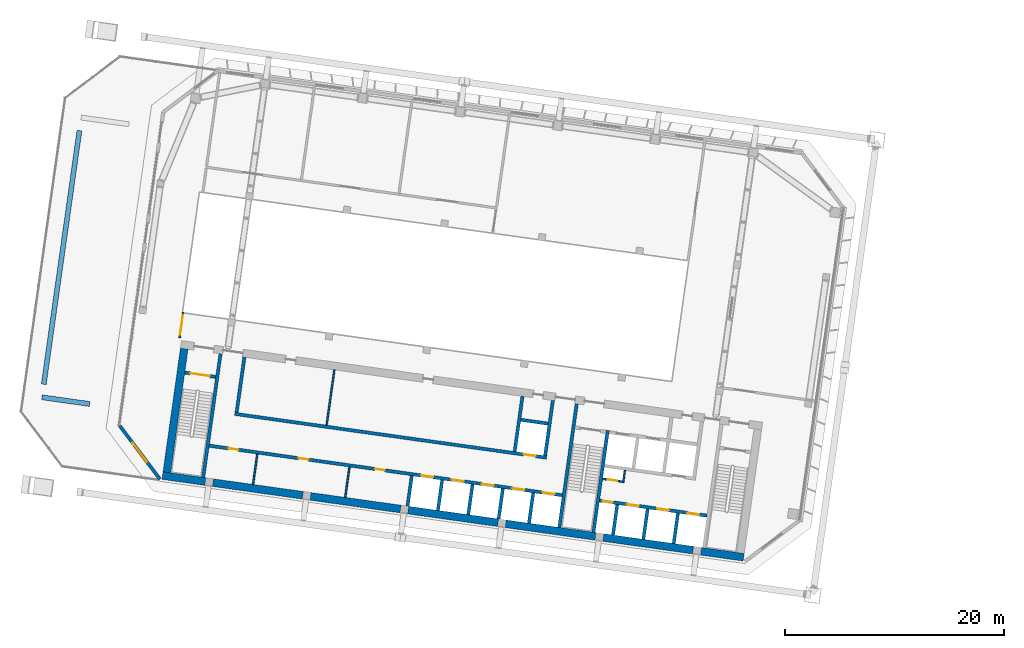
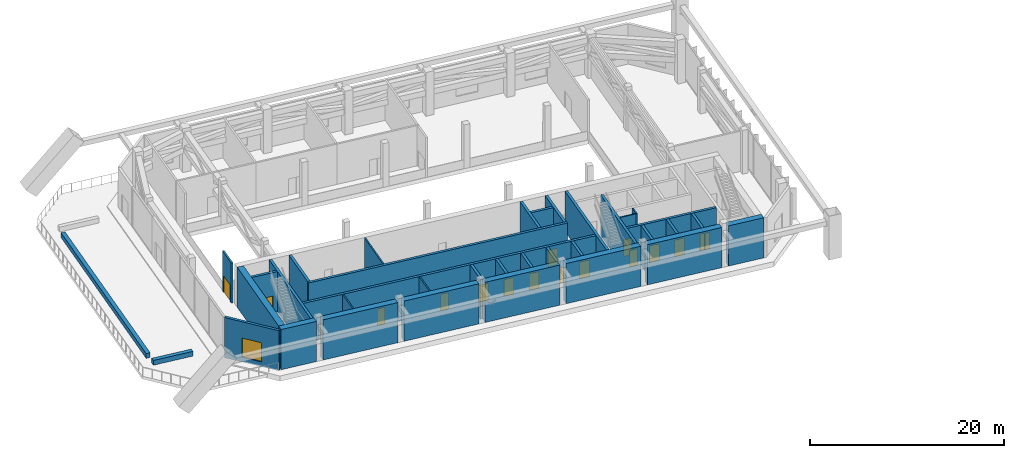
# One storey, part 20 of 41: 36 walls, 16 doors, 1 window, 17 openings.
"""IFC4 building model written with IfcOpenShell, lengths in metres."""

from ifc_helpers import new_model, si_unit, direction, frame, frame_2d, origin, place, context, subcontext, project, spatial, rectangle, extrude, material, layer, layer_set, type_object, element, fill, save


model = new_model("IFC4")

# Units and contexts
model_context = context("Model", 3, precision=1e-05, world=origin(), true_north=direction((0.0, 1.0)))
body_context = subcontext(model_context, "Body", "Model", "MODEL_VIEW")
ifc_project = project(units=[si_unit("LENGTHUNIT", "METRE"), si_unit("AREAUNIT", "SQUARE_METRE"), si_unit("VOLUMEUNIT", "CUBIC_METRE"), si_unit("PLANEANGLEUNIT", "RADIAN"), si_unit("MASSUNIT", "GRAM", prefix="KILO")], contexts=[model_context])

# Site, building, storey
site_placement = place(None, origin())
site = spatial("IfcSite", under=ifc_project, at=site_placement, CompositionType="ELEMENT")
building_placement = place(site_placement, origin())
building = spatial("IfcBuilding", under=site, at=building_placement, Name="Mirante Cascada Hotel Towers", CompositionType="ELEMENT")
storey_placement = place(building_placement, frame((0.0, 0.0, 151.9)))
storey = spatial("IfcBuildingStorey", under=building, at=storey_placement, Name="L35", CompositionType="ELEMENT", Elevation=151.9)

# Wall
ifc_material_1 = material(Name="Masonry block", Category="masonry")
ifc_layer_1 = layer(ifc_material_1, 0.15)
ifc_layer_set_1 = layer_set([ifc_layer_1], Name="Core room partition 150 block EI 30")
wall_type_1 = type_object("IfcWallType", Name="Core room partition 150 block EI 30", PredefinedType="PARTITIONING", material=ifc_layer_set_1)
wall_1_placement = place(storey_placement, frame((-48.2295, -12.793, 0.0), z_axis=(0.0, 0.0, 1.0), x_axis=(0.1391935, 0.9902652, 0.0)))
element("IfcWall", 1, at=wall_1_placement, inside=storey, type_object=wall_type_1, Name="Core wall partition T1 L35 2", PredefinedType="PARTITIONING", context=body_context, shape_type="SweptSolid", body=[
    extrude(rectangle(XDim=1.1251, YDim=0.15, at=frame_2d((0.5626, 0.0))), origin(), (0.0, 0.0, 1.0), 5.05),
])

# Wall, opening, door
wall_2_placement = place(storey_placement, frame((-48.2933, -12.7083, 0.0), z_axis=(0.0, 0.0, 1.0), x_axis=(-0.990268, 0.1391734, 0.0)))
wall_2 = element("IfcWall", 2, at=wall_2_placement, inside=storey, type_object=wall_type_1, Name="Core wall partition T1 L35 3", PredefinedType="PARTITIONING", context=body_context, shape_type="SweptSolid", body=[
    extrude(rectangle(XDim=1.8251, YDim=0.15, at=frame_2d((0.9126, 0.0))), origin(), (0.0, 0.0, 1.0), 5.05),
])
opening_1_placement = place(wall_2_placement, frame((0.4625, 0.0, 0.0)))
opening_1 = element("IfcOpeningElement", 3, at=opening_1_placement, cuts=wall_2, Name="Opening D1-35-C23", PredefinedType="OPENING", context=body_context, shape_type="SweptSolid", body=[
    extrude(rectangle(XDim=0.9, YDim=2.1, at=frame_2d((0.45, 1.05))), frame((0.0, 0.075, 0.0), z_axis=(0.0, -1.0, 0.0), x_axis=(1.0, 0.0, 0.0)), (0.0, 0.0, 1.0), 0.15),
])
ifc_material_2 = material(Name="Hollow metal fire door leaf")
door_type_1 = type_object("IfcDoorType", Name="Fire door 900x2100 FD60", OperationType="NOTDEFINED", PredefinedType="DOOR", material=ifc_material_2)
door_1_placement = place(opening_1_placement, origin())
door_1 = element("IfcDoor", 4, at=door_1_placement, inside=storey, type_object=door_type_1, Name="Riser door T1 L35 23", OperationType="SINGLE_SWING_LEFT", OverallHeight=2.1, OverallWidth=0.9, PredefinedType="DOOR", context=body_context, shape_type="SweptSolid", body=[
    extrude(rectangle(XDim=0.9, YDim=2.1, at=frame_2d((0.45, 1.05))), frame((0.0, 0.025, 0.0), z_axis=(0.0, -1.0, 0.0), x_axis=(1.0, 0.0, 0.0)), (0.0, 0.0, 1.0), 0.05),
])
fill(opening_1, door_1)

# Walls
wall_3_placement = place(storey_placement, frame((-73.6152, -14.1482, 0.0), z_axis=(0.0, 0.0, 1.0), x_axis=(0.139176, 0.9902677, 0.0)))
element("IfcWall", 5, at=wall_3_placement, inside=storey, type_object=wall_type_1, Name="Core wall partition T1 L35 4", PredefinedType="PARTITIONING", context=body_context, shape_type="SweptSolid", body=[
    extrude(rectangle(XDim=2.8001, YDim=0.15, at=frame_2d((1.4, 0.0))), origin(), (0.0, 0.0, 1.0), 5.05),
])
wall_4_placement = place(storey_placement, frame((-82.0324, -12.9652, 0.0), z_axis=(0.0, 0.0, 1.0), x_axis=(0.139141, 0.9902726, 0.0)))
element("IfcWall", 6, at=wall_4_placement, inside=storey, type_object=wall_type_1, Name="Core wall partition T1 L35 5", PredefinedType="PARTITIONING", context=body_context, shape_type="SweptSolid", body=[
    extrude(rectangle(XDim=2.8, YDim=0.15, at=frame_2d((1.4, 0.0))), origin(), (0.0, 0.0, 1.0), 5.05),
])
wall_5_placement = place(storey_placement, frame((-75.3131, -7.5476, 0.0), z_axis=(0.0, 0.0, 1.0), x_axis=(0.1391782, 0.9902673, 0.0)))
element("IfcWall", 7, at=wall_5_placement, inside=storey, type_object=wall_type_1, Name="Core wall partition T1 L35 6", PredefinedType="PARTITIONING", context=body_context, shape_type="SweptSolid", body=[
    extrude(rectangle(XDim=5.0999, YDim=0.15, at=frame_2d((2.55, 0.0))), origin(), (0.0, 0.0, 1.0), 5.05),
])
ifc_material_3 = material(Name="Precast concrete C40/50", Category="concrete")
ifc_layer_2 = layer(ifc_material_3, 0.45)
ifc_layer_set_2 = layer_set([ifc_layer_2], Name="Planter wall 450 concrete C40/50")
wall_type_2 = type_object("IfcWallType", Name="Planter wall 450 concrete C40/50", PredefinedType="PARAPET", material=ifc_layer_set_2)
wall_6_placement = place(storey_placement, frame((-96.955, -5.6169, 0.0), z_axis=(0.0, 0.0, 1.0), x_axis=(-0.990267, 0.139181, 0.0)))
element("IfcWall", 8, at=wall_6_placement, inside=storey, type_object=wall_type_2, Name="PLANTER T1 L35 bed 1", PredefinedType="PARAPET", context=body_context, shape_type="SweptSolid", body=[
    extrude(rectangle(XDim=4.4, YDim=0.45, at=frame_2d((2.2, 0.0))), origin(), (0.0, 0.0, 1.0), 0.6),
])
wall_7_placement = place(storey_placement, frame((-101.1451, -3.8162, 0.0), z_axis=(0.0, 0.0, 1.0), x_axis=(0.1391708, 0.9902684, 0.0)))
element("IfcWall", 9, at=wall_7_placement, inside=storey, type_object=wall_type_2, Name="PLANTER T1 L35 bed 3", PredefinedType="PARAPET", context=body_context, shape_type="SweptSolid", body=[
    extrude(rectangle(XDim=23.4, YDim=0.45, at=frame_2d((11.7, 0.0))), origin(), (0.0, 0.0, 1.0), 0.6),
])

# Wall, opening, window
ifc_material_4 = material(Name="Precast concrete C40/50", Category="concrete")
ifc_layer_3 = layer(ifc_material_4, 0.3)
ifc_layer_set_3 = layer_set([ifc_layer_3], Name="Precast concrete C40/50 cladding wall 300")
wall_type_3 = type_object("IfcWallType", Name="Precast concrete C40/50 cladding wall 300", PredefinedType="STANDARD", material=ifc_layer_set_3)
wall_8_placement = place(storey_placement, frame((-90.5299, -12.4841, 0.0), z_axis=(0.0, 0.0, 1.0), x_axis=(-0.6018063, 0.7986421, 0.0)))
wall_8 = element("IfcWall", 10, at=wall_8_placement, inside=storey, type_object=wall_type_3, Name="Corner cladding wall T1 L35 rear outer", PredefinedType="STANDARD", context=body_context, shape_type="SweptSolid", body=[
    extrude(rectangle(XDim=6.1158, YDim=0.3, at=frame_2d((3.0579, 0.0))), origin(), (0.0, 0.0, 1.0), 5.05),
])
opening_2_placement = place(wall_8_placement, frame((1.9578, 0.0, 0.6)))
opening_2 = element("IfcOpeningElement", 11, at=opening_2_placement, cuts=wall_8, Name="Opening W1-35-08", PredefinedType="OPENING", context=body_context, shape_type="SweptSolid", body=[
    extrude(rectangle(XDim=2.2, YDim=2.4, at=frame_2d((1.1, 1.2))), frame((0.0, 0.15, 0.0), z_axis=(0.0, -1.0, 0.0), x_axis=(1.0, 0.0, 0.0)), (0.0, 0.0, 1.0), 0.3),
])
ifc_material_5 = material(Name="Aluminium frame with clear double glazing", Category="aluminium")
window_type = type_object("IfcWindowType", Name="Corner suite window 2200x2400", PartitioningType="DOUBLE_PANEL_VERTICAL", PredefinedType="WINDOW", material=ifc_material_5)
window_placement = place(opening_2_placement, origin())
window = element("IfcWindow", 12, at=window_placement, inside=storey, type_object=window_type, Name="Window W1-35-08", OverallHeight=2.4, OverallWidth=2.2, PartitioningType="SINGLE_PANEL", PredefinedType="WINDOW", context=body_context, shape_type="SweptSolid", body=[
    extrude(rectangle(XDim=2.2, YDim=2.4, at=frame_2d((1.1, 1.2))), frame((0.0, 0.03, 0.0), z_axis=(0.0, -1.0, 0.0), x_axis=(1.0, 0.0, 0.0)), (0.0, 0.0, 1.0), 0.06),
])
fill(opening_2, window)

# Walls
ifc_material_6 = material(Name="Concrete C50/60", Category="concrete")
ifc_layer_4 = layer(ifc_material_6, 0.3)
ifc_layer_set_4 = layer_set([ifc_layer_4], Name="RC core wall 300 C50/60")
wall_type_4 = type_object("IfcWallType", Name="RC core wall 300 C50/60", PredefinedType="SHEAR", material=ifc_layer_set_4)
wall_9_placement = place(storey_placement, frame((-50.938, -17.3352, 0.0), z_axis=(0.0, 0.0, 1.0), x_axis=(0.1391706, 0.9902684, 0.0)))
element("IfcWall", 13, at=wall_9_placement, inside=storey, type_object=wall_type_4, Name="Core wall T1:L35:6", PredefinedType="SHEAR", context=body_context, shape_type="SweptSolid", body=[
    extrude(rectangle(XDim=9.4, YDim=0.3, at=frame_2d((4.7, 0.0))), origin(), (0.0, 0.0, 1.0), 5.05),
])
wall_10_placement = place(storey_placement, frame((-54.0574, -16.8968, 0.0), z_axis=(0.0, 0.0, 1.0), x_axis=(0.1391761, 0.9902677, 0.0)))
element("IfcWall", 14, at=wall_10_placement, inside=storey, type_object=wall_type_4, Name="Core wall T1:L35:7", PredefinedType="SHEAR", context=body_context, shape_type="SweptSolid", body=[
    extrude(rectangle(XDim=11.3999, YDim=0.3, at=frame_2d((5.7, 0.0))), origin(), (0.0, 0.0, 1.0), 5.05),
])
wall_11_placement = place(storey_placement, frame((-86.5877, -12.325, 0.0), z_axis=(0.0, 0.0, 1.0), x_axis=(0.1391749, 0.9902678, 0.0)))
element("IfcWall", 15, at=wall_11_placement, inside=storey, type_object=wall_type_4, Name="Core wall T1:L35:8", PredefinedType="SHEAR", context=body_context, shape_type="SweptSolid", body=[
    extrude(rectangle(XDim=11.4, YDim=0.3, at=frame_2d((5.7, 0.0))), origin(), (0.0, 0.0, 1.0), 5.05),
])

# Wall, opening, door
wall_12_placement = place(storey_placement, frame((-85.4489, -3.1441, 0.0), z_axis=(0.0, 0.0, 1.0), x_axis=(-0.9902697, 0.1391613, 0.0)))
wall_12 = element("IfcWall", 16, at=wall_12_placement, inside=storey, type_object=wall_type_4, Name="Core wall T1:L35:11", PredefinedType="SHEAR", context=body_context, shape_type="SweptSolid", body=[
    extrude(rectangle(XDim=2.8499, YDim=0.3, at=frame_2d((1.425, 0.0))), origin(), (0.0, 0.0, 1.0), 5.05),
])
opening_3_placement = place(wall_12_placement, frame((0.525, 0.0, 0.0)))
opening_3 = element("IfcOpeningElement", 17, at=opening_3_placement, cuts=wall_12, Name="Opening D1-35-C17", PredefinedType="OPENING", context=body_context, shape_type="SweptSolid", body=[
    extrude(rectangle(XDim=1.8, YDim=2.1, at=frame_2d((0.9, 1.05))), frame((0.0, 0.15, 0.0), z_axis=(0.0, -1.0, 0.0), x_axis=(1.0, 0.0, 0.0)), (0.0, 0.0, 1.0), 0.3),
])
ifc_material_7 = material(Name="Hollow metal fire door leaf")
door_type_2 = type_object("IfcDoorType", Name="Double fire door 1800x2100 FD60", OperationType="DOUBLE_DOOR_SINGLE_SWING", PredefinedType="DOOR", material=ifc_material_7)
door_2_placement = place(opening_3_placement, origin())
door_2 = element("IfcDoor", 18, at=door_2_placement, inside=storey, type_object=door_type_2, Name="Stair door T1 L35 17", OperationType="DOUBLE_DOOR_SINGLE_SWING", OverallHeight=2.1, OverallWidth=1.8, PredefinedType="DOOR", context=body_context, shape_type="SweptSolid", body=[
    extrude(rectangle(XDim=0.895, YDim=2.1, at=frame_2d((0.4475, 1.05))), frame((0.0, 0.025, 0.0), z_axis=(0.0, -1.0, 0.0), x_axis=(1.0, 0.0, 0.0)), (0.0, 0.0, 1.0), 0.05),
    extrude(rectangle(XDim=0.895, YDim=2.1, at=frame_2d((1.3525, 1.05))), frame((0.0, 0.025, 0.0), z_axis=(0.0, -1.0, 0.0), x_axis=(1.0, 0.0, 0.0)), (0.0, 0.0, 1.0), 0.05),
])
fill(opening_3, door_2)

# Wall, openings, doors
wall_13_placement = place(storey_placement, frame((-40.5753, -15.8126, 0.0), z_axis=(0.0, 0.0, 1.0), x_axis=(-0.9902682, 0.1391725, 0.0)))
wall_13 = element("IfcWall", 19, at=wall_13_placement, inside=storey, type_object=wall_type_4, Name="Core wall T1:L35:12", PredefinedType="SHEAR", context=body_context, shape_type="SweptSolid", body=[
    extrude(rectangle(XDim=9.8999, YDim=0.3, at=frame_2d((4.95, 0.0))), origin(), (0.0, 0.0, 1.0), 5.05),
])
opening_4_placement = place(wall_13_placement, frame((0.7, 0.0, 0.0)))
opening_4 = element("IfcOpeningElement", 20, at=opening_4_placement, cuts=wall_13, Name="Opening LD", PredefinedType="OPENING", context=body_context, shape_type="SweptSolid", body=[
    extrude(rectangle(XDim=1.1, YDim=2.1, at=frame_2d((0.55, 1.05))), frame((0.0, 0.15, 0.0), z_axis=(0.0, -1.0, 0.0), x_axis=(1.0, 0.0, 0.0)), (0.0, 0.0, 1.0), 0.3),
])
opening_5_placement = place(wall_13_placement, frame((3.5, 0.0, 0.0)))
opening_5 = element("IfcOpeningElement", 21, at=opening_5_placement, cuts=wall_13, Name="Opening LD", PredefinedType="OPENING", context=body_context, shape_type="SweptSolid", body=[
    extrude(rectangle(XDim=1.1, YDim=2.1, at=frame_2d((0.55, 1.05))), frame((0.0, 0.15, 0.0), z_axis=(0.0, -1.0, 0.0), x_axis=(1.0, 0.0, 0.0)), (0.0, 0.0, 1.0), 0.3),
])
opening_6_placement = place(wall_13_placement, frame((6.3, 0.0, 0.0)))
opening_6 = element("IfcOpeningElement", 22, at=opening_6_placement, cuts=wall_13, Name="Opening LD", PredefinedType="OPENING", context=body_context, shape_type="SweptSolid", body=[
    extrude(rectangle(XDim=1.1, YDim=2.1, at=frame_2d((0.55, 1.05))), frame((0.0, 0.15, 0.0), z_axis=(0.0, -1.0, 0.0), x_axis=(1.0, 0.0, 0.0)), (0.0, 0.0, 1.0), 0.3),
])
opening_7_placement = place(wall_13_placement, frame((8.7, 0.0, 0.0)))
opening_7 = element("IfcOpeningElement", 23, at=opening_7_placement, cuts=wall_13, Name="Opening D1-35-C22", PredefinedType="OPENING", context=body_context, shape_type="SweptSolid", body=[
    extrude(rectangle(XDim=0.9, YDim=2.1, at=frame_2d((0.45, 1.05))), frame((0.0, 0.15, 0.0), z_axis=(0.0, -1.0, 0.0), x_axis=(1.0, 0.0, 0.0)), (0.0, 0.0, 1.0), 0.3),
])
door_3_placement = place(opening_7_placement, origin())
door_3 = element("IfcDoor", 24, at=door_3_placement, inside=storey, type_object=door_type_1, Name="Riser door T1 L35 22", OperationType="SINGLE_SWING_LEFT", OverallHeight=2.1, OverallWidth=0.9, PredefinedType="DOOR", context=body_context, shape_type="SweptSolid", body=[
    extrude(rectangle(XDim=0.9, YDim=2.1, at=frame_2d((0.45, 1.05))), frame((0.0, 0.025, 0.0), z_axis=(0.0, -1.0, 0.0), x_axis=(1.0, 0.0, 0.0)), (0.0, 0.0, 1.0), 0.05),
])
fill(opening_7, door_3)
ifc_material_8 = material(Name="Stainless steel", Category="steel")
door_type_3 = type_object("IfcDoorType", Name="Lift landing door 1100x2100 EI 120", OperationType="DOUBLE_DOOR_SLIDING", PredefinedType="DOOR", material=ifc_material_8)
door_4_placement = place(opening_4_placement, origin())
door_4 = element("IfcDoor", 25, at=door_4_placement, inside=storey, type_object=door_type_3, Name="Lift landing door HR1-1 L35", OperationType="DOUBLE_DOOR_SLIDING", OverallHeight=2.1, OverallWidth=1.1, PredefinedType="DOOR", context=body_context, shape_type="SweptSolid", body=[
    extrude(rectangle(XDim=0.545, YDim=2.1, at=frame_2d((0.2725, 1.05))), frame((0.0, 0.025, 0.0), z_axis=(0.0, -1.0, 0.0), x_axis=(1.0, 0.0, 0.0)), (0.0, 0.0, 1.0), 0.05),
    extrude(rectangle(XDim=0.545, YDim=2.1, at=frame_2d((0.8275, 1.05))), frame((0.0, 0.025, 0.0), z_axis=(0.0, -1.0, 0.0), x_axis=(1.0, 0.0, 0.0)), (0.0, 0.0, 1.0), 0.05),
])
fill(opening_4, door_4)
door_5_placement = place(opening_5_placement, origin())
door_5 = element("IfcDoor", 26, at=door_5_placement, inside=storey, type_object=door_type_3, Name="Lift landing door HR1-2 L35", OperationType="DOUBLE_DOOR_SLIDING", OverallHeight=2.1, OverallWidth=1.1, PredefinedType="DOOR", context=body_context, shape_type="SweptSolid", body=[
    extrude(rectangle(XDim=0.545, YDim=2.1, at=frame_2d((0.2725, 1.05))), frame((0.0, 0.025, 0.0), z_axis=(0.0, -1.0, 0.0), x_axis=(1.0, 0.0, 0.0)), (0.0, 0.0, 1.0), 0.05),
    extrude(rectangle(XDim=0.545, YDim=2.1, at=frame_2d((0.8275, 1.05))), frame((0.0, 0.025, 0.0), z_axis=(0.0, -1.0, 0.0), x_axis=(1.0, 0.0, 0.0)), (0.0, 0.0, 1.0), 0.05),
])
fill(opening_5, door_5)
door_6_placement = place(opening_6_placement, origin())
door_6 = element("IfcDoor", 27, at=door_6_placement, inside=storey, type_object=door_type_3, Name="Lift landing door HR1-3 L35", OperationType="DOUBLE_DOOR_SLIDING", OverallHeight=2.1, OverallWidth=1.1, PredefinedType="DOOR", context=body_context, shape_type="SweptSolid", body=[
    extrude(rectangle(XDim=0.545, YDim=2.1, at=frame_2d((0.2725, 1.05))), frame((0.0, 0.025, 0.0), z_axis=(0.0, -1.0, 0.0), x_axis=(1.0, 0.0, 0.0)), (0.0, 0.0, 1.0), 0.05),
    extrude(rectangle(XDim=0.545, YDim=2.1, at=frame_2d((0.8275, 1.05))), frame((0.0, 0.025, 0.0), z_axis=(0.0, -1.0, 0.0), x_axis=(1.0, 0.0, 0.0)), (0.0, 0.0, 1.0), 0.05),
])
fill(opening_6, door_6)

# Walls
wall_14_placement = place(storey_placement, frame((-43.61, -18.3651, 0.0), z_axis=(0.0, 0.0, 1.0), x_axis=(0.1391459, 0.9902719, 0.0)))
element("IfcWall", 28, at=wall_14_placement, inside=storey, type_object=wall_type_4, Name="Core wall T1:L35:15", PredefinedType="SHEAR", context=body_context, shape_type="SweptSolid", body=[
    extrude(rectangle(XDim=2.7999, YDim=0.3, at=frame_2d((1.4, 0.0))), origin(), (0.0, 0.0, 1.0), 5.05),
])
wall_15_placement = place(storey_placement, frame((-46.3828, -17.9754, 0.0), z_axis=(0.0, 0.0, 1.0), x_axis=(0.139181, 0.990267, 0.0)))
element("IfcWall", 29, at=wall_15_placement, inside=storey, type_object=wall_type_4, Name="Core wall T1:L35:16", PredefinedType="SHEAR", context=body_context, shape_type="SweptSolid", body=[
    extrude(rectangle(XDim=2.8, YDim=0.3, at=frame_2d((1.4, 0.0))), origin(), (0.0, 0.0, 1.0), 5.05),
])
wall_16_placement = place(storey_placement, frame((-49.1555, -17.5857, 0.0), z_axis=(0.0, 0.0, 1.0), x_axis=(0.1391459, 0.9902719, 0.0)))
element("IfcWall", 30, at=wall_16_placement, inside=storey, type_object=wall_type_4, Name="Core wall T1:L35:17", PredefinedType="SHEAR", context=body_context, shape_type="SweptSolid", body=[
    extrude(rectangle(XDim=2.7999, YDim=0.3, at=frame_2d((1.4, 0.0))), origin(), (0.0, 0.0, 1.0), 5.05),
])

# Wall, openings, doors
wall_17_placement = place(storey_placement, frame((-53.7953, -13.9547, 0.0), z_axis=(0.0, 0.0, 1.0), x_axis=(-0.990268, 0.1391733, 0.0)))
wall_17 = element("IfcWall", 31, at=wall_17_placement, inside=storey, type_object=wall_type_4, Name="Core wall T1:L35:24", PredefinedType="SHEAR", context=body_context, shape_type="SweptSolid", body=[
    extrude(rectangle(XDim=32.5501, YDim=0.3, at=frame_2d((16.275, 0.0))), origin(), (0.0, 0.0, 1.0), 5.05),
])
opening_8_placement = place(wall_17_placement, frame((0.7, 0.0, 0.0)))
opening_8 = element("IfcOpeningElement", 32, at=opening_8_placement, cuts=wall_17, Name="Opening LD", PredefinedType="OPENING", context=body_context, shape_type="SweptSolid", body=[
    extrude(rectangle(XDim=1.1, YDim=2.1, at=frame_2d((0.55, 1.05))), frame((0.0, 0.15, 0.0), z_axis=(0.0, -1.0, 0.0), x_axis=(1.0, 0.0, 0.0)), (0.0, 0.0, 1.0), 0.3),
])
opening_9_placement = place(wall_17_placement, frame((3.5, 0.0, 0.0)))
opening_9 = element("IfcOpeningElement", 33, at=opening_9_placement, cuts=wall_17, Name="Opening LD", PredefinedType="OPENING", context=body_context, shape_type="SweptSolid", body=[
    extrude(rectangle(XDim=1.1, YDim=2.1, at=frame_2d((0.55, 1.05))), frame((0.0, 0.15, 0.0), z_axis=(0.0, -1.0, 0.0), x_axis=(1.0, 0.0, 0.0)), (0.0, 0.0, 1.0), 0.3),
])
opening_10_placement = place(wall_17_placement, frame((6.3, 0.0, 0.0)))
opening_10 = element("IfcOpeningElement", 34, at=opening_10_placement, cuts=wall_17, Name="Opening LD", PredefinedType="OPENING", context=body_context, shape_type="SweptSolid", body=[
    extrude(rectangle(XDim=1.1, YDim=2.1, at=frame_2d((0.55, 1.05))), frame((0.0, 0.15, 0.0), z_axis=(0.0, -1.0, 0.0), x_axis=(1.0, 0.0, 0.0)), (0.0, 0.0, 1.0), 0.3),
])
opening_11_placement = place(wall_17_placement, frame((9.1, 0.0, 0.0)))
opening_11 = element("IfcOpeningElement", 35, at=opening_11_placement, cuts=wall_17, Name="Opening LD", PredefinedType="OPENING", context=body_context, shape_type="SweptSolid", body=[
    extrude(rectangle(XDim=1.1, YDim=2.1, at=frame_2d((0.55, 1.05))), frame((0.0, 0.15, 0.0), z_axis=(0.0, -1.0, 0.0), x_axis=(1.0, 0.0, 0.0)), (0.0, 0.0, 1.0), 0.3),
])
opening_12_placement = place(wall_17_placement, frame((11.9, 0.0, 0.0)))
opening_12 = element("IfcOpeningElement", 36, at=opening_12_placement, cuts=wall_17, Name="Opening LD", PredefinedType="OPENING", context=body_context, shape_type="SweptSolid", body=[
    extrude(rectangle(XDim=1.1, YDim=2.1, at=frame_2d((0.55, 1.05))), frame((0.0, 0.15, 0.0), z_axis=(0.0, -1.0, 0.0), x_axis=(1.0, 0.0, 0.0)), (0.0, 0.0, 1.0), 0.3),
])
opening_13_placement = place(wall_17_placement, frame((16.35, 0.0, 0.0)))
opening_13 = element("IfcOpeningElement", 37, at=opening_13_placement, cuts=wall_17, Name="Opening D1-35-C25", PredefinedType="OPENING", context=body_context, shape_type="SweptSolid", body=[
    extrude(rectangle(XDim=0.9, YDim=2.1, at=frame_2d((0.45, 1.05))), frame((0.0, 0.15, 0.0), z_axis=(0.0, -1.0, 0.0), x_axis=(1.0, 0.0, 0.0)), (0.0, 0.0, 1.0), 0.3),
])
opening_14_placement = place(wall_17_placement, frame((23.4, 0.0, 0.0)))
opening_14 = element("IfcOpeningElement", 38, at=opening_14_placement, cuts=wall_17, Name="Opening D1-35-C26", PredefinedType="OPENING", context=body_context, shape_type="SweptSolid", body=[
    extrude(rectangle(XDim=0.9, YDim=2.1, at=frame_2d((0.45, 1.05))), frame((0.0, 0.15, 0.0), z_axis=(0.0, -1.0, 0.0), x_axis=(1.0, 0.0, 0.0)), (0.0, 0.0, 1.0), 0.3),
])
opening_15_placement = place(wall_17_placement, frame((29.875, 0.0, 0.0)))
opening_15 = element("IfcOpeningElement", 39, at=opening_15_placement, cuts=wall_17, Name="Opening D1-35-C27", PredefinedType="OPENING", context=body_context, shape_type="SweptSolid", body=[
    extrude(rectangle(XDim=0.9, YDim=2.1, at=frame_2d((0.45, 1.05))), frame((0.0, 0.15, 0.0), z_axis=(0.0, -1.0, 0.0), x_axis=(1.0, 0.0, 0.0)), (0.0, 0.0, 1.0), 0.3),
])
door_7_placement = place(opening_13_placement, origin())
door_7 = element("IfcDoor", 40, at=door_7_placement, inside=storey, type_object=door_type_1, Name="Room door T1 L35 25", OperationType="SINGLE_SWING_LEFT", OverallHeight=2.1, OverallWidth=0.9, PredefinedType="DOOR", context=body_context, shape_type="SweptSolid", body=[
    extrude(rectangle(XDim=0.9, YDim=2.1, at=frame_2d((0.45, 1.05))), frame((0.0, 0.025, 0.0), z_axis=(0.0, -1.0, 0.0), x_axis=(1.0, 0.0, 0.0)), (0.0, 0.0, 1.0), 0.05),
])
fill(opening_13, door_7)
door_8_placement = place(opening_14_placement, origin())
door_8 = element("IfcDoor", 41, at=door_8_placement, inside=storey, type_object=door_type_1, Name="Room door T1 L35 26", OperationType="SINGLE_SWING_LEFT", OverallHeight=2.1, OverallWidth=0.9, PredefinedType="DOOR", context=body_context, shape_type="SweptSolid", body=[
    extrude(rectangle(XDim=0.9, YDim=2.1, at=frame_2d((0.45, 1.05))), frame((0.0, 0.025, 0.0), z_axis=(0.0, -1.0, 0.0), x_axis=(1.0, 0.0, 0.0)), (0.0, 0.0, 1.0), 0.05),
])
fill(opening_14, door_8)
door_9_placement = place(opening_15_placement, origin())
door_9 = element("IfcDoor", 42, at=door_9_placement, inside=storey, type_object=door_type_1, Name="Room door T1 L35 27", OperationType="SINGLE_SWING_LEFT", OverallHeight=2.1, OverallWidth=0.9, PredefinedType="DOOR", context=body_context, shape_type="SweptSolid", body=[
    extrude(rectangle(XDim=0.9, YDim=2.1, at=frame_2d((0.45, 1.05))), frame((0.0, 0.025, 0.0), z_axis=(0.0, -1.0, 0.0), x_axis=(1.0, 0.0, 0.0)), (0.0, 0.0, 1.0), 0.05),
])
fill(opening_15, door_9)
door_10_placement = place(opening_8_placement, origin())
door_10 = element("IfcDoor", 43, at=door_10_placement, inside=storey, type_object=door_type_3, Name="Lift landing door LR1-1 L35", OperationType="DOUBLE_DOOR_SLIDING", OverallHeight=2.1, OverallWidth=1.1, PredefinedType="DOOR", context=body_context, shape_type="SweptSolid", body=[
    extrude(rectangle(XDim=0.545, YDim=2.1, at=frame_2d((0.2725, 1.05))), frame((0.0, 0.025, 0.0), z_axis=(0.0, -1.0, 0.0), x_axis=(1.0, 0.0, 0.0)), (0.0, 0.0, 1.0), 0.05),
    extrude(rectangle(XDim=0.545, YDim=2.1, at=frame_2d((0.8275, 1.05))), frame((0.0, 0.025, 0.0), z_axis=(0.0, -1.0, 0.0), x_axis=(1.0, 0.0, 0.0)), (0.0, 0.0, 1.0), 0.05),
])
fill(opening_8, door_10)
door_11_placement = place(opening_9_placement, origin())
door_11 = element("IfcDoor", 44, at=door_11_placement, inside=storey, type_object=door_type_3, Name="Lift landing door LR1-2 L35", OperationType="DOUBLE_DOOR_SLIDING", OverallHeight=2.1, OverallWidth=1.1, PredefinedType="DOOR", context=body_context, shape_type="SweptSolid", body=[
    extrude(rectangle(XDim=0.545, YDim=2.1, at=frame_2d((0.2725, 1.05))), frame((0.0, 0.025, 0.0), z_axis=(0.0, -1.0, 0.0), x_axis=(1.0, 0.0, 0.0)), (0.0, 0.0, 1.0), 0.05),
    extrude(rectangle(XDim=0.545, YDim=2.1, at=frame_2d((0.8275, 1.05))), frame((0.0, 0.025, 0.0), z_axis=(0.0, -1.0, 0.0), x_axis=(1.0, 0.0, 0.0)), (0.0, 0.0, 1.0), 0.05),
])
fill(opening_9, door_11)
door_12_placement = place(opening_10_placement, origin())
door_12 = element("IfcDoor", 45, at=door_12_placement, inside=storey, type_object=door_type_3, Name="Lift landing door SV1-1 L35", OperationType="DOUBLE_DOOR_SLIDING", OverallHeight=2.1, OverallWidth=1.1, PredefinedType="DOOR", context=body_context, shape_type="SweptSolid", body=[
    extrude(rectangle(XDim=0.545, YDim=2.1, at=frame_2d((0.2725, 1.05))), frame((0.0, 0.025, 0.0), z_axis=(0.0, -1.0, 0.0), x_axis=(1.0, 0.0, 0.0)), (0.0, 0.0, 1.0), 0.05),
    extrude(rectangle(XDim=0.545, YDim=2.1, at=frame_2d((0.8275, 1.05))), frame((0.0, 0.025, 0.0), z_axis=(0.0, -1.0, 0.0), x_axis=(1.0, 0.0, 0.0)), (0.0, 0.0, 1.0), 0.05),
])
fill(opening_10, door_12)
door_13_placement = place(opening_11_placement, origin())
door_13 = element("IfcDoor", 46, at=door_13_placement, inside=storey, type_object=door_type_3, Name="Lift landing door SV1-2 L35", OperationType="DOUBLE_DOOR_SLIDING", OverallHeight=2.1, OverallWidth=1.1, PredefinedType="DOOR", context=body_context, shape_type="SweptSolid", body=[
    extrude(rectangle(XDim=0.545, YDim=2.1, at=frame_2d((0.2725, 1.05))), frame((0.0, 0.025, 0.0), z_axis=(0.0, -1.0, 0.0), x_axis=(1.0, 0.0, 0.0)), (0.0, 0.0, 1.0), 0.05),
    extrude(rectangle(XDim=0.545, YDim=2.1, at=frame_2d((0.8275, 1.05))), frame((0.0, 0.025, 0.0), z_axis=(0.0, -1.0, 0.0), x_axis=(1.0, 0.0, 0.0)), (0.0, 0.0, 1.0), 0.05),
])
fill(opening_11, door_13)
door_14_placement = place(opening_12_placement, origin())
door_14 = element("IfcDoor", 47, at=door_14_placement, inside=storey, type_object=door_type_3, Name="Lift landing door SV1-3 L35", OperationType="DOUBLE_DOOR_SLIDING", OverallHeight=2.1, OverallWidth=1.1, PredefinedType="DOOR", context=body_context, shape_type="SweptSolid", body=[
    extrude(rectangle(XDim=0.545, YDim=2.1, at=frame_2d((0.2725, 1.05))), frame((0.0, 0.025, 0.0), z_axis=(0.0, -1.0, 0.0), x_axis=(1.0, 0.0, 0.0)), (0.0, 0.0, 1.0), 0.05),
    extrude(rectangle(XDim=0.545, YDim=2.1, at=frame_2d((0.8275, 1.05))), frame((0.0, 0.025, 0.0), z_axis=(0.0, -1.0, 0.0), x_axis=(1.0, 0.0, 0.0)), (0.0, 0.0, 1.0), 0.05),
])
fill(opening_12, door_14)

# Walls
for number, where, z_axis, x_axis, name in (
    (48, (-56.8301, -16.5072, 0.0), (0.0, 0.0, 1.0), (0.139176, 0.9902677, 0.0), "Core wall T1:L35:25"),
    (49, (-59.6029, -16.1175, 0.0), (0.0, 0.0, 1.0), (0.139176, 0.9902677, 0.0), "Core wall T1:L35:26"),
    (50, (-62.3756, -15.7278, 0.0), (0.0, 0.0, 1.0), (0.139176, 0.9902677, 0.0), "Core wall T1:L35:27"),
    (51, (-65.1484, -15.3381, 0.0), (0.0, 0.0, 1.0), (0.139176, 0.9902677, 0.0), "Core wall T1:L35:28"),
):
    element("IfcWall", number, at=place(storey_placement, frame(where, z_axis=z_axis, x_axis=x_axis)), inside=storey, type_object=wall_type_4, Name=name, PredefinedType="SHEAR", context=body_context, shape_type="SweptSolid", body=[
        extrude(rectangle(XDim=2.8001, YDim=0.3, at=frame_2d((1.4, 0.0))), origin(), (0.0, 0.0, 1.0), 5.05),
    ])
wall_18_placement = place(storey_placement, frame((-67.9211, -14.9484, 0.0), z_axis=(0.0, 0.0, 1.0), x_axis=(0.139181, 0.990267, 0.0)))
element("IfcWall", 52, at=wall_18_placement, inside=storey, type_object=wall_type_4, Name="Core wall T1:L35:29", PredefinedType="SHEAR", context=body_context, shape_type="SweptSolid", body=[
    extrude(rectangle(XDim=2.8, YDim=0.3, at=frame_2d((1.4, 0.0))), origin(), (0.0, 0.0, 1.0), 5.05),
])

# Wall, opening, door
wall_19_placement = place(storey_placement, frame((-55.2315, -10.5214, 0.0), z_axis=(0.0, 0.0, 1.0), x_axis=(-0.9902682, 0.1391722, 0.0)))
wall_19 = element("IfcWall", 53, at=wall_19_placement, inside=storey, type_object=wall_type_4, Name="Core wall T1:L35:32", PredefinedType="SHEAR", context=body_context, shape_type="SweptSolid", body=[
    extrude(rectangle(XDim=28.75, YDim=0.3, at=frame_2d((14.375, 0.0))), origin(), (0.0, 0.0, 1.0), 5.05),
])
opening_16_placement = place(wall_19_placement, frame((1.0, 0.0, 0.0)))
opening_16 = element("IfcOpeningElement", 54, at=opening_16_placement, cuts=wall_19, Name="Opening LD", PredefinedType="OPENING", context=body_context, shape_type="SweptSolid", body=[
    extrude(rectangle(XDim=1.1, YDim=2.1, at=frame_2d((0.55, 1.05))), frame((0.0, 0.15, 0.0), z_axis=(0.0, -1.0, 0.0), x_axis=(1.0, 0.0, 0.0)), (0.0, 0.0, 1.0), 0.3),
])
door_15_placement = place(opening_16_placement, origin())
door_15 = element("IfcDoor", 55, at=door_15_placement, inside=storey, type_object=door_type_3, Name="Lift landing door LR1-3 L35", OperationType="DOUBLE_DOOR_SLIDING", OverallHeight=2.1, OverallWidth=1.1, PredefinedType="DOOR", context=body_context, shape_type="SweptSolid", body=[
    extrude(rectangle(XDim=0.545, YDim=2.1, at=frame_2d((0.2725, 1.05))), frame((0.0, 0.025, 0.0), z_axis=(0.0, -1.0, 0.0), x_axis=(1.0, 0.0, 0.0)), (0.0, 0.0, 1.0), 0.05),
    extrude(rectangle(XDim=0.545, YDim=2.1, at=frame_2d((0.8275, 1.05))), frame((0.0, 0.025, 0.0), z_axis=(0.0, -1.0, 0.0), x_axis=(1.0, 0.0, 0.0)), (0.0, 0.0, 1.0), 0.05),
])
fill(opening_16, door_15)

# Walls
for number, where, z_axis, x_axis, name in (
    (56, (-55.3592, -10.352, 0.0), (0.0, 0.0, 1.0), (0.1391755, 0.9902677, 0.0), "Core wall T1:L35:33"),
    (57, (-83.5323, -6.3925, 0.0), (0.0, 0.0, 1.0), (0.1391755, 0.9902677, 0.0), "Core wall T1:L35:34"),
    (58, (-58.1319, -9.9623, 0.0), (0.0, 0.0, 1.0), (0.1391755, 0.9902677, 0.0), "Core wall T1:L35:35"),
):
    element("IfcWall", number, at=place(storey_placement, frame(where, z_axis=z_axis, x_axis=x_axis)), inside=storey, type_object=wall_type_4, Name=name, PredefinedType="SHEAR", context=body_context, shape_type="SweptSolid", body=[
        extrude(rectangle(XDim=5.1, YDim=0.3, at=frame_2d((2.55, 0.0))), origin(), (0.0, 0.0, 1.0), 5.05),
    ])
wall_20_placement = place(storey_placement, frame((-55.0971, -7.4098, 0.0), z_axis=(0.0, 0.0, 1.0), x_axis=(-0.9902701, 0.1391586, 0.0)))
element("IfcWall", 59, at=wall_20_placement, inside=storey, type_object=wall_type_4, Name="Core wall T1:L35:36", PredefinedType="SHEAR", context=body_context, shape_type="SweptSolid", body=[
    extrude(rectangle(XDim=2.5, YDim=0.3, at=frame_2d((1.25, 0.0))), origin(), (0.0, 0.0, 1.0), 5.05),
])
ifc_material_9 = material(Name="Concrete C50/60", Category="concrete")
ifc_layer_5 = layer(ifc_material_9, 0.7)
ifc_layer_set_5 = layer_set([ifc_layer_5], Name="RC core wall 700 C50/60")
wall_type_5 = type_object("IfcWallType", Name="RC core wall 700 C50/60", PredefinedType="SHEAR", material=ifc_layer_set_5)
wall_21_placement = place(storey_placement, frame((-37.222, -19.6163, 0.0), z_axis=(0.0, 0.0, 1.0), x_axis=(-0.9902689, 0.1391674, 0.0)))
element("IfcWall", 60, at=wall_21_placement, inside=storey, type_object=wall_type_5, Name="Core wall T1:L35:1.1", PredefinedType="SHEAR", context=body_context, shape_type="SweptSolid", body=[
    extrude(rectangle(XDim=3.9262, YDim=0.7, at=frame_2d((1.9631, 0.0))), origin(), (0.0, 0.0, 1.0), 5.05),
])
wall_22_placement = place(storey_placement, frame((-41.8416, -18.9671, 0.0), z_axis=(0.0, 0.0, 1.0), x_axis=(-0.990268, 0.1391737, 0.0)))
element("IfcWall", 61, at=wall_22_placement, inside=storey, type_object=wall_type_5, Name="Core wall T1:L35:1.2", PredefinedType="SHEAR", context=body_context, shape_type="SweptSolid", body=[
    extrude(rectangle(XDim=8.2731, YDim=0.7, at=frame_2d((4.1366, 0.0))), origin(), (0.0, 0.0, 1.0), 5.05),
])
wall_23_placement = place(storey_placement, frame((-50.754, -17.7145, 0.0), z_axis=(0.0, 0.0, 1.0), x_axis=(-0.990269, 0.1391668, 0.0)))
element("IfcWall", 62, at=wall_23_placement, inside=storey, type_object=wall_type_5, Name="Core wall T1:L35:1.3", PredefinedType="SHEAR", context=body_context, shape_type="SweptSolid", body=[
    extrude(rectangle(XDim=8.285, YDim=0.7, at=frame_2d((4.1425, 0.0))), origin(), (0.0, 0.0, 1.0), 5.05),
])
for number, where, z_axis, x_axis, name in (
    (63, (-59.6516, -16.4641, 0.0), (0.0, 0.0, 1.0), (-0.990267, 0.139181, 0.0), "Core wall T1:L35:1.4"),
    (64, (-68.564, -15.2115, 0.0), (0.0, 0.0, 1.0), (-0.9902686, 0.1391692, 0.0), "Core wall T1:L35:1.5"),
    (65, (-77.4764, -13.9589, 0.0), (0.0, 0.0, 1.0), (-0.9902686, 0.1391692, 0.0), "Core wall T1:L35:1.6"),
):
    element("IfcWall", number, at=place(storey_placement, frame(where, z_axis=z_axis, x_axis=x_axis)), inside=storey, type_object=wall_type_5, Name=name, PredefinedType="SHEAR", context=body_context, shape_type="SweptSolid", body=[
        extrude(rectangle(XDim=8.3, YDim=0.7, at=frame_2d((4.15, 0.0))), origin(), (0.0, 0.0, 1.0), 5.05),
    ])
wall_24_placement = place(storey_placement, frame((-86.3888, -12.7064, 0.0), z_axis=(0.0, 0.0, 1.0), x_axis=(-0.9902694, 0.1391633, 0.0)))
element("IfcWall", 66, at=wall_24_placement, inside=storey, type_object=wall_type_5, Name="Core wall T1:L35:1.7", PredefinedType="SHEAR", context=body_context, shape_type="SweptSolid", body=[
    extrude(rectangle(XDim=3.95, YDim=0.7, at=frame_2d((1.975, 0.0))), origin(), (0.0, 0.0, 1.0), 5.05),
])
wall_25_placement = place(storey_placement, frame((-89.9051, -11.8588, 0.0), z_axis=(0.0, 0.0, 1.0), x_axis=(0.1391749, 0.9902678, 0.0)))
element("IfcWall", 67, at=wall_25_placement, inside=storey, type_object=wall_type_5, Name="Core wall T1:L35:4", PredefinedType="SHEAR", context=body_context, shape_type="SweptSolid", body=[
    extrude(rectangle(XDim=11.4, YDim=0.7, at=frame_2d((5.7, 0.0))), origin(), (0.0, 0.0, 1.0), 5.05),
])

# Wall, opening, door
ifc_material_10 = material(Name="Masonry block", Category="masonry")
ifc_layer_6 = layer(ifc_material_10, 0.2)
ifc_layer_set_6 = layer_set([ifc_layer_6], Name="Refuge and plant wall 200 block EI 120")
wall_type_6 = type_object("IfcWallType", Name="Refuge and plant wall 200 block EI 120", PredefinedType="PARTITIONING", material=ifc_layer_set_6)
wall_26_placement = place(storey_placement, frame((-88.7379, 0.3981, 0.0), z_axis=(0.0, 0.0, 1.0), x_axis=(0.1391693, 0.9902686, 0.0)))
wall_26 = element("IfcWall", 68, at=wall_26_placement, inside=storey, type_object=wall_type_6, Name="Refuge floor wall T1 L35 S13", PredefinedType="PARTITIONING", context=body_context, shape_type="SweptSolid", body=[
    extrude(rectangle(XDim=2.4, YDim=0.2, at=frame_2d((1.2, 0.0))), origin(), (0.0, 0.0, 1.0), 5.05),
])
opening_17_placement = place(wall_26_placement, frame((0.3, 0.0, 0.0)))
opening_17 = element("IfcOpeningElement", 69, at=opening_17_placement, cuts=wall_26, Name="Opening D1-35-S08", PredefinedType="OPENING", context=body_context, shape_type="SweptSolid", body=[
    extrude(rectangle(XDim=1.8, YDim=2.1, at=frame_2d((0.9, 1.05))), frame((0.0, 0.1, 0.0), z_axis=(0.0, -1.0, 0.0), x_axis=(1.0, 0.0, 0.0)), (0.0, 0.0, 1.0), 0.2),
])
ifc_material_11 = material(Name="Hollow metal fire door leaf")
door_type_4 = type_object("IfcDoorType", Name="Refuge and plant double door 1800x2100 FD60", OperationType="DOUBLE_DOOR_SINGLE_SWING", PredefinedType="DOOR", material=ifc_material_11)
door_16_placement = place(opening_17_placement, origin())
door_16 = element("IfcDoor", 70, at=door_16_placement, inside=storey, type_object=door_type_4, Name="Fire door T1 L35 s8", OperationType="DOUBLE_DOOR_SINGLE_SWING", OverallHeight=2.1, OverallWidth=1.8, PredefinedType="DOOR", context=body_context, shape_type="SweptSolid", body=[
    extrude(rectangle(XDim=0.895, YDim=2.1, at=frame_2d((0.4475, 1.05))), frame((0.0, 0.025, 0.0), z_axis=(0.0, -1.0, 0.0), x_axis=(1.0, 0.0, 0.0)), (0.0, 0.0, 1.0), 0.05),
    extrude(rectangle(XDim=0.895, YDim=2.1, at=frame_2d((1.3525, 1.05))), frame((0.0, 0.025, 0.0), z_axis=(0.0, -1.0, 0.0), x_axis=(1.0, 0.0, 0.0)), (0.0, 0.0, 1.0), 0.05),
])
fill(opening_17, door_16)

save(model, "model.ifc")
